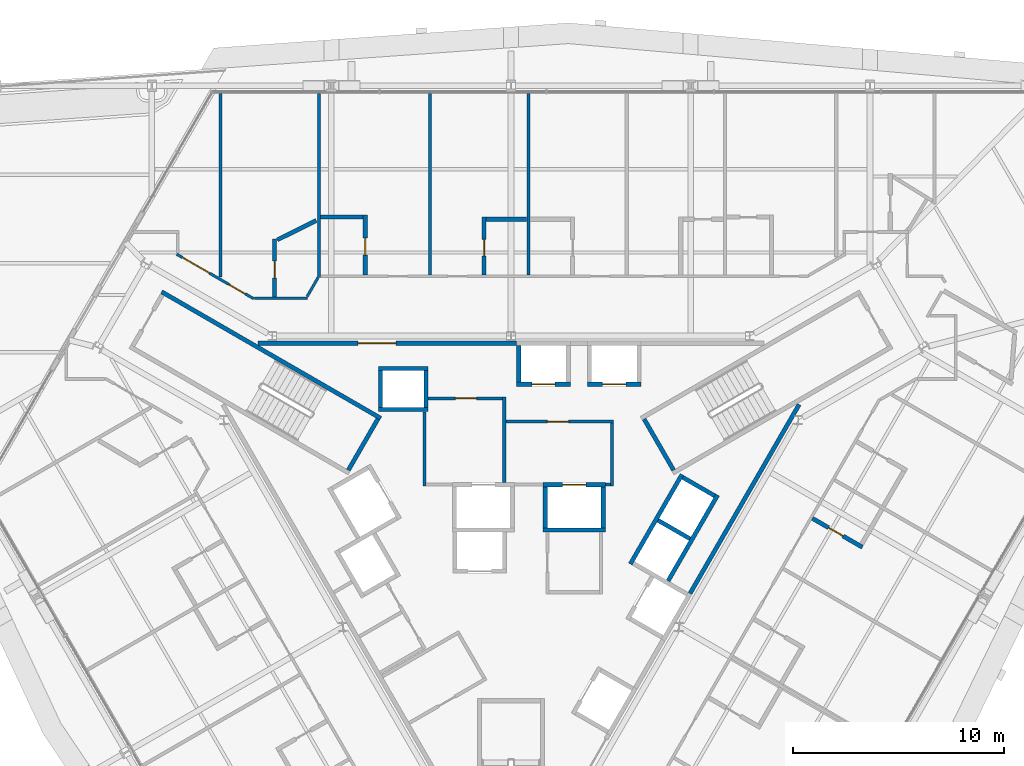
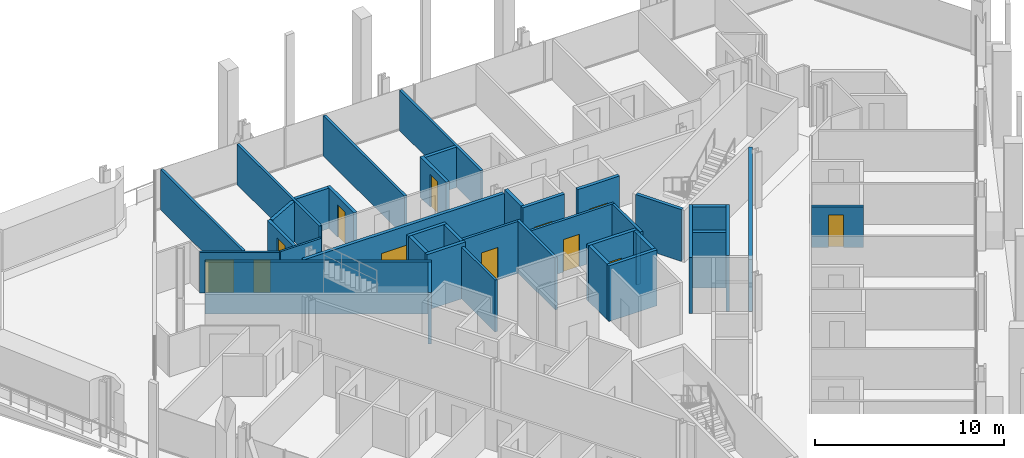
# One storey, part 14 of 19: 40 walls, 12 doors, 12 openings.
"""IFC4 building model written with IfcOpenShell, lengths in metres."""

from ifc_helpers import new_model, si_unit, direction, frame, frame_2d, origin, place, context, subcontext, project, spatial, rectangle, extrude, material, layer, layer_set, type_object, element, fill, save


model = new_model("IFC4")

# Units and contexts
model_context = context("Model", 3, precision=1e-05, world=origin(), true_north=direction((0.0, 1.0)))
body_context = subcontext(model_context, "Body", "Model", "MODEL_VIEW")
ifc_project = project(units=[si_unit("LENGTHUNIT", "METRE"), si_unit("AREAUNIT", "SQUARE_METRE"), si_unit("VOLUMEUNIT", "CUBIC_METRE"), si_unit("PLANEANGLEUNIT", "RADIAN"), si_unit("MASSUNIT", "GRAM", prefix="KILO")], contexts=[model_context])

# Site, building, storey
site_placement = place(None, origin())
site = spatial("IfcSite", under=ifc_project, at=site_placement, CompositionType="ELEMENT")
building_placement = place(site_placement, origin())
building = spatial("IfcBuilding", under=site, at=building_placement, Name="Verrane Prism Tower", CompositionType="ELEMENT")
storey_placement = place(building_placement, frame((0.0, 0.0, 58.39990234375)))
storey = spatial("IfcBuildingStorey", under=building, at=storey_placement, Name="L12", CompositionType="ELEMENT", Elevation=58.39990234375)

# Wall, opening, door
ifc_material_1 = material(Name="Gypsum board partition", Category="other")
ifc_layer_1 = layer(ifc_material_1, 0.199951171875)
ifc_layer_set_1 = layer_set([ifc_layer_1], Name="CW-200 core boundary wall 2 h")
wall_type_1 = type_object("IfcWallType", Name="CW-200 core boundary wall 2 h", PredefinedType="PARTITIONING", material=ifc_layer_set_1)
wall_1_placement = place(storey_placement, frame((0.262939453125, 8.860107421875, 0.0), z_axis=(0.0, 0.0, 1.0), x_axis=(-1.0, 0.0, 0.0)))
wall_1 = element("IfcWall", 1, at=wall_1_placement, inside=storey, type_object=wall_type_1, Name="Core boundary wall CW3-002", PredefinedType="PARTITIONING", context=body_context, shape_type="SweptSolid", body=[
    extrude(rectangle(XDim=12.25390625, YDim=0.199951171875, at=frame_2d((6.126953125, 0.0))), origin(), (0.0, 0.0, 1.0), 3.35009765625),
])
opening_1_placement = place(wall_1_placement, frame((5.708984375, 0.0, 0.0)))
opening_1 = element("IfcOpeningElement", 2, at=opening_1_placement, cuts=wall_1, Name="Opening D12511", PredefinedType="OPENING", context=body_context, shape_type="SweptSolid", body=[
    extrude(rectangle(XDim=1.800048828125, YDim=2.10009765625, at=frame_2d((0.89990234375, 1.050048828125))), frame((0.0, 0.10986328125, 0.0), z_axis=(0.0, -1.0, 0.0), x_axis=(1.0, 0.0, 0.0)), (0.0, 0.0, 1.0), 0.219970703125),
])
ifc_material_2 = material(Name="Timber veneered door leaf", Category="wood")
door_type_1 = type_object("IfcDoorType", Name="DR-1800x2100 FD60 double leaf lift lobby", OperationType="NOTDEFINED", PredefinedType="DOOR", material=ifc_material_2)
door_1_placement = place(opening_1_placement, origin())
door_1 = element("IfcDoor", 3, at=door_1_placement, inside=storey, type_object=door_type_1, Name="Lift lobby door D12511", OperationType="DOUBLE_DOOR_SINGLE_SWING", OverallHeight=2.10009765625, OverallWidth=1.800048828125, PredefinedType="DOOR", context=body_context, shape_type="SweptSolid", body=[
    extrude(rectangle(XDim=1.800048828125, YDim=2.10009765625, at=frame_2d((0.89990234375, 1.050048828125))), frame((0.0, 0.02490234375, 0.0), z_axis=(0.0, -1.0, 0.0), x_axis=(1.0, 0.0, 0.0)), (0.0, 0.0, 1.0), 0.050048828125),
])
fill(opening_1, door_1)

# Walls
wall_2_placement = place(storey_placement, frame((8.491943359375, -3.011962890625, 0.0), z_axis=(0.0, 0.0, 1.0), x_axis=(0.499972957231, 0.866041016371, 0.0)))
element("IfcWall", 4, at=wall_2_placement, inside=storey, type_object=wall_type_1, Name="Core boundary wall CW3-007", PredefinedType="PARTITIONING", context=body_context, shape_type="SweptSolid", body=[
    extrude(rectangle(XDim=10.3486328125, YDim=0.199951171875, at=frame_2d((5.17431640625, 0.0))), origin(), (0.0, 0.0, 1.0), 3.35009765625),
])
ifc_material_3 = material(Name="Concrete C40/50", Category="concrete")
ifc_layer_2 = layer(ifc_material_3, 0.199951171875)
ifc_layer_set_2 = layer_set([ifc_layer_2], Name="CW-200 stair core wall concrete C40/50 3 h")
wall_type_2 = type_object("IfcWallType", Name="CW-200 stair core wall concrete C40/50 3 h", PredefinedType="PARTITIONING", material=ifc_layer_set_2)
wall_3_placement = place(storey_placement, frame((7.71484375, 2.837646484375, 0.0), z_axis=(0.0, 0.0, 1.0), x_axis=(-0.500049511043, 0.865996816683, 0.0)))
element("IfcWall", 5, at=wall_3_placement, inside=storey, type_object=wall_type_2, Name="Stair 1 enclosure wall", PredefinedType="PARTITIONING", context=body_context, shape_type="SweptSolid", body=[
    extrude(rectangle(XDim=2.800048828125, YDim=0.199951171875, at=frame_2d((1.39990234375, 0.0))), origin(), (0.0, 0.0, 1.0), 3.35009765625),
])
wall_4_placement = place(storey_placement, frame((-6.17822265625, 5.299072265625, 0.0), z_axis=(0.0, 0.0, 1.0), x_axis=(-0.866026010844, 0.49999894854, 0.0)))
element("IfcWall", 6, at=wall_4_placement, inside=storey, type_object=wall_type_2, Name="Stair 2 enclosure wall", PredefinedType="PARTITIONING", context=body_context, shape_type="SweptSolid", body=[
    extrude(rectangle(XDim=12.0, YDim=0.199951171875, at=frame_2d((6.0, 0.0))), origin(), (0.0, 0.0, 1.0), 3.35009765625),
])
wall_5_placement = place(storey_placement, frame((-6.314697265625, 5.262451171875, 0.0), z_axis=(0.0, 0.0, 1.0), x_axis=(-0.500049511043, -0.865996816683, 0.0)))
element("IfcWall", 7, at=wall_5_placement, inside=storey, type_object=wall_type_2, Name="Stair 2 enclosure wall", PredefinedType="PARTITIONING", context=body_context, shape_type="SweptSolid", body=[
    extrude(rectangle(XDim=2.800048828125, YDim=0.199951171875, at=frame_2d((1.39990234375, 0.0))), origin(), (0.0, 0.0, 1.0), 3.35009765625),
])
ifc_material_4 = material(Name="Gypsum board shaft wall assembly", Category="other")
ifc_layer_3 = layer(ifc_material_4, 0.199951171875)
ifc_layer_set_3 = layer_set([ifc_layer_3], Name="HW-200 lift shaft wall 2 h")
wall_type_3 = type_object("IfcWallType", Name="HW-200 lift shaft wall 2 h", PredefinedType="PARTITIONING", material=ifc_layer_set_3)
wall_6_placement = place(storey_placement, frame((1.52490234375, 0.0, 0.0), z_axis=(0.0, 0.0, 1.0), x_axis=(1.0, 0.0, 0.0)))
element("IfcWall", 8, at=wall_6_placement, inside=storey, type_object=wall_type_3, Name="Lift shaft wall", PredefinedType="PARTITIONING", context=body_context, shape_type="SweptSolid", body=[
    extrude(rectangle(XDim=2.9501953125, YDim=0.199951171875, at=frame_2d((1.47509765625, 0.0))), origin(), (0.0, 0.0, 1.0), 3.60009765625),
])

# Wall, opening, door
wall_7_placement = place(storey_placement, frame((1.52490234375, 2.14990234375, 0.0), z_axis=(0.0, 0.0, 1.0), x_axis=(1.0, 0.0, 0.0)))
wall_7 = element("IfcWall", 9, at=wall_7_placement, inside=storey, type_object=wall_type_3, Name="Lift shaft wall", PredefinedType="PARTITIONING", context=body_context, shape_type="SweptSolid", body=[
    extrude(rectangle(XDim=2.9501953125, YDim=0.199951171875, at=frame_2d((1.47509765625, 0.0))), origin(), (0.0, 0.0, 1.0), 3.60009765625),
])
opening_2_placement = place(wall_7_placement, frame((0.925048828125, 0.0, 0.0)))
opening_2 = element("IfcOpeningElement", 10, at=opening_2_placement, cuts=wall_7, Name="Opening D12509", PredefinedType="OPENING", context=body_context, shape_type="SweptSolid", body=[
    extrude(rectangle(XDim=1.10009765625, YDim=2.10009765625, at=frame_2d((0.550048828125, 1.050048828125))), frame((0.0, 0.10986328125, 0.0), z_axis=(0.0, -1.0, 0.0), x_axis=(1.0, 0.0, 0.0)), (0.0, 0.0, 1.0), 0.219970703125),
])
ifc_material_5 = material(Name="Stainless steel sliding landing door", Category="steel")
door_type_2 = type_object("IfcDoorType", Name="LD-1100x2100 lift landing door FD90 sliding", OperationType="NOTDEFINED", PredefinedType="DOOR", material=ifc_material_5)
door_2_placement = place(opening_2_placement, origin())
door_2 = element("IfcDoor", 11, at=door_2_placement, inside=storey, type_object=door_type_2, Name="Fire service lift 2 landing door", OperationType="SLIDING_TO_RIGHT", OverallHeight=2.10009765625, OverallWidth=1.10009765625, PredefinedType="DOOR", context=body_context, shape_type="SweptSolid", body=[
    extrude(rectangle(XDim=1.10009765625, YDim=2.10009765625, at=frame_2d((0.550048828125, 1.050048828125))), frame((0.0, 0.02490234375, 0.0), z_axis=(0.0, -1.0, 0.0), x_axis=(1.0, 0.0, 0.0)), (0.0, 0.0, 1.0), 0.050048828125),
])
fill(opening_2, door_2)

# Wall
wall_8_placement = place(storey_placement, frame((-6.284912109375, 5.7099609375, 0.0), z_axis=(0.0, 0.0, 1.0), x_axis=(1.0, 0.0, 0.0)))
element("IfcWall", 12, at=wall_8_placement, inside=storey, type_object=wall_type_3, Name="Lift shaft wall", PredefinedType="PARTITIONING", context=body_context, shape_type="SweptSolid", body=[
    extrude(rectangle(XDim=2.349853515625, YDim=0.199951171875, at=frame_2d((1.1748046875, 0.0))), origin(), (0.0, 0.0, 1.0), 3.60009765625),
])

# Wall, opening, door
wall_9_placement = place(storey_placement, frame((0.264892578125, 6.909912109375, 0.0), z_axis=(0.0, 0.0, 1.0), x_axis=(1.0, 0.0, 0.0)))
wall_9 = element("IfcWall", 13, at=wall_9_placement, inside=storey, type_object=wall_type_3, Name="Lift shaft wall", PredefinedType="PARTITIONING", context=body_context, shape_type="SweptSolid", body=[
    extrude(rectangle(XDim=2.550048828125, YDim=0.199951171875, at=frame_2d((1.27490234375, 0.0))), origin(), (0.0, 0.0, 1.0), 3.60009765625),
])
opening_3_placement = place(wall_9_placement, frame((0.72509765625, 0.0, 0.0)))
opening_3 = element("IfcOpeningElement", 14, at=opening_3_placement, cuts=wall_9, Name="Opening D12503", PredefinedType="OPENING", context=body_context, shape_type="SweptSolid", body=[
    extrude(rectangle(XDim=1.10009765625, YDim=2.10009765625, at=frame_2d((0.550048828125, 1.050048828125))), frame((0.0, 0.10986328125, 0.0), z_axis=(0.0, -1.0, 0.0), x_axis=(1.0, 0.0, 0.0)), (0.0, 0.0, 1.0), 0.219970703125),
])
door_3_placement = place(opening_3_placement, origin())
door_3 = element("IfcDoor", 15, at=door_3_placement, inside=storey, type_object=door_type_2, Name="Bank A lift 1 landing door", OperationType="SLIDING_TO_LEFT", OverallHeight=2.10009765625, OverallWidth=1.10009765625, PredefinedType="DOOR", context=body_context, shape_type="SweptSolid", body=[
    extrude(rectangle(XDim=1.10009765625, YDim=2.10009765625, at=frame_2d((0.550048828125, 1.050048828125))), frame((0.0, 0.02490234375, 0.0), z_axis=(0.0, -1.0, 0.0), x_axis=(1.0, 0.0, 0.0)), (0.0, 0.0, 1.0), 0.050048828125),
])
fill(opening_3, door_3)

wall_10_placement = place(storey_placement, frame((3.625, 6.909912109375, 0.0), z_axis=(0.0, 0.0, 1.0), x_axis=(1.0, 0.0, 0.0)))
wall_10 = element("IfcWall", 16, at=wall_10_placement, inside=storey, type_object=wall_type_3, Name="Lift shaft wall", PredefinedType="PARTITIONING", context=body_context, shape_type="SweptSolid", body=[
    extrude(rectangle(XDim=2.550048828125, YDim=0.199951171875, at=frame_2d((1.27490234375, 0.0))), origin(), (0.0, 0.0, 1.0), 3.60009765625),
])
opening_4_placement = place(wall_10_placement, frame((0.72509765625, 0.0, 0.0)))
opening_4 = element("IfcOpeningElement", 17, at=opening_4_placement, cuts=wall_10, Name="Opening D12505", PredefinedType="OPENING", context=body_context, shape_type="SweptSolid", body=[
    extrude(rectangle(XDim=1.10009765625, YDim=2.10009765625, at=frame_2d((0.550048828125, 1.050048828125))), frame((0.0, 0.10986328125, 0.0), z_axis=(0.0, -1.0, 0.0), x_axis=(1.0, 0.0, 0.0)), (0.0, 0.0, 1.0), 0.219970703125),
])
door_4_placement = place(opening_4_placement, origin())
door_4 = element("IfcDoor", 18, at=door_4_placement, inside=storey, type_object=door_type_2, Name="Bank A lift 3 landing door", OperationType="SLIDING_TO_LEFT", OverallHeight=2.10009765625, OverallWidth=1.10009765625, PredefinedType="DOOR", context=body_context, shape_type="SweptSolid", body=[
    extrude(rectangle(XDim=1.10009765625, YDim=2.10009765625, at=frame_2d((0.550048828125, 1.050048828125))), frame((0.0, 0.02490234375, 0.0), z_axis=(0.0, -1.0, 0.0), x_axis=(1.0, 0.0, 0.0)), (0.0, 0.0, 1.0), 0.050048828125),
])
fill(opening_4, door_4)

# Walls
wall_11_placement = place(storey_placement, frame((-6.284912109375, 7.659912109375, 0.0), z_axis=(0.0, 0.0, 1.0), x_axis=(1.0, 0.0, 0.0)))
element("IfcWall", 19, at=wall_11_placement, inside=storey, type_object=wall_type_3, Name="Lift shaft wall", PredefinedType="PARTITIONING", context=body_context, shape_type="SweptSolid", body=[
    extrude(rectangle(XDim=2.349853515625, YDim=0.199951171875, at=frame_2d((1.1748046875, 0.0))), origin(), (0.0, 0.0, 1.0), 3.60009765625),
])
wall_12_placement = place(storey_placement, frame((7.451171875, -2.4140625, 0.0), z_axis=(0.0, 0.0, 1.0), x_axis=(0.500016218704, 0.866016039709, 0.0)))
element("IfcWall", 20, at=wall_12_placement, inside=storey, type_object=wall_type_3, Name="Lift shaft wall", PredefinedType="PARTITIONING", context=body_context, shape_type="SweptSolid", body=[
    extrude(rectangle(XDim=4.699951171875, YDim=0.199951171875, at=frame_2d((2.35009765625, 0.0))), origin(), (0.0, 0.0, 1.0), 3.60009765625),
])
wall_13_placement = place(storey_placement, frame((5.66259765625, -1.6123046875, 0.0), z_axis=(0.0, 0.0, 1.0), x_axis=(0.49998122708, 0.866036242063, 0.0)))
element("IfcWall", 21, at=wall_13_placement, inside=storey, type_object=wall_type_3, Name="Lift shaft wall", PredefinedType="PARTITIONING", context=body_context, shape_type="SweptSolid", body=[
    extrude(rectangle(XDim=4.900146484375, YDim=0.199951171875, at=frame_2d((2.4501953125, 0.0))), origin(), (0.0, 0.0, 1.0), 3.60009765625),
])
for number, where, z_axis, x_axis, name in (
    (22, (4.375, 0.10009765625, 0.0), (0.0, 0.0, 1.0), (0.0, 1.0, 0.0), "Lift shaft wall"),
    (23, (1.625, 0.10009765625, 0.0), (0.0, 0.0, 1.0), (0.0, 1.0, 0.0), "Lift shaft wall"),
):
    element("IfcWall", number, at=place(storey_placement, frame(where, z_axis=z_axis, x_axis=x_axis)), inside=storey, type_object=wall_type_3, Name=name, PredefinedType="PARTITIONING", context=body_context, shape_type="SweptSolid", body=[
        extrude(rectangle(XDim=1.949951171875, YDim=0.199951171875, at=frame_2d((0.97509765625, 0.0))), origin(), (0.0, 0.0, 1.0), 3.60009765625),
    ])
for number, where, z_axis, x_axis, name in (
    (24, (0.364990234375, 7.010009765625, 0.0), (0.0, 0.0, 1.0), (0.0, 1.0, 0.0), "Lift shaft wall"),
    (25, (-4.034912109375, 5.81005859375, 0.0), (0.0, 0.0, 1.0), (0.0, 1.0, 0.0), "Lift shaft wall"),
    (26, (-6.18505859375, 5.81005859375, 0.0), (0.0, 0.0, 1.0), (0.0, 1.0, 0.0), "Lift shaft wall"),
):
    element("IfcWall", number, at=place(storey_placement, frame(where, z_axis=z_axis, x_axis=x_axis)), inside=storey, type_object=wall_type_3, Name=name, PredefinedType="PARTITIONING", context=body_context, shape_type="SweptSolid", body=[
        extrude(rectangle(XDim=1.75, YDim=0.199951171875, at=frame_2d((0.875, 0.0))), origin(), (0.0, 0.0, 1.0), 3.60009765625),
    ])
wall_14_placement = place(storey_placement, frame((9.66455078125, 1.61962890625, 0.0), z_axis=(0.0, 0.0, 1.0), x_axis=(-0.866002029911, 0.500040482552, 0.0)))
element("IfcWall", 27, at=wall_14_placement, inside=storey, type_object=wall_type_3, Name="Lift shaft wall", PredefinedType="PARTITIONING", context=body_context, shape_type="SweptSolid", body=[
    extrude(rectangle(XDim=1.749755859375, YDim=0.199951171875, at=frame_2d((0.875, 0.0))), origin(), (0.0, 0.0, 1.0), 3.60009765625),
])
wall_15_placement = place(storey_placement, frame((8.48974609375, -0.41552734375, 0.0), z_axis=(0.0, 0.0, 1.0), x_axis=(-0.866036909293, 0.499980071345, 0.0)))
element("IfcWall", 28, at=wall_15_placement, inside=storey, type_object=wall_type_3, Name="Lift shaft wall", PredefinedType="PARTITIONING", context=body_context, shape_type="SweptSolid", body=[
    extrude(rectangle(XDim=1.75, YDim=0.199951171875, at=frame_2d((0.875, 0.0))), origin(), (0.0, 0.0, 1.0), 3.60009765625),
])
ifc_material_6 = material(Name="Gypsum board partition", Category="other")
ifc_layer_4 = layer(ifc_material_6, 0.14990234375)
ifc_layer_set_4 = layer_set([ifc_layer_4], Name="LF-150 firefighting lobby wall 1 h")
wall_type_4 = type_object("IfcWallType", Name="LF-150 firefighting lobby wall 1 h", PredefinedType="PARTITIONING", material=ifc_layer_set_4)
wall_16_placement = place(storey_placement, frame((-4.10009765625, 2.0849609375, 0.0), z_axis=(0.0, 0.0, 1.0), x_axis=(0.0, 1.0, 0.0)))
element("IfcWall", 29, at=wall_16_placement, inside=storey, type_object=wall_type_4, Name="Firefighting lobby wall LF1-001", PredefinedType="PARTITIONING", context=body_context, shape_type="SweptSolid", body=[
    extrude(rectangle(XDim=3.52294921875, YDim=0.14990234375, at=frame_2d((1.761474609375, 0.0))), origin(), (0.0, 0.0, 1.0), 3.35009765625),
])

# Wall, opening, door
wall_17_placement = place(storey_placement, frame((-3.93310546875, 6.239990234375, 0.0), z_axis=(0.0, 0.0, 1.0), x_axis=(1.0, 0.0, 0.0)))
wall_17 = element("IfcWall", 30, at=wall_17_placement, inside=storey, type_object=wall_type_4, Name="Firefighting lobby wall LF1-003", PredefinedType="PARTITIONING", context=body_context, shape_type="SweptSolid", body=[
    extrude(rectangle(XDim=3.5380859375, YDim=0.14990234375, at=frame_2d((1.76904296875, 0.0))), origin(), (0.0, 0.0, 1.0), 3.35009765625),
])
opening_5_placement = place(wall_17_placement, frame((1.300048828125, 0.0, 0.0)))
opening_5 = element("IfcOpeningElement", 31, at=opening_5_placement, cuts=wall_17, Name="Opening D12515", PredefinedType="OPENING", context=body_context, shape_type="SweptSolid", body=[
    extrude(rectangle(XDim=1.0, YDim=2.10009765625, at=frame_2d((0.5, 1.050048828125))), frame((0.0, 0.0849609375, 0.0), z_axis=(0.0, -1.0, 0.0), x_axis=(1.0, 0.0, 0.0)), (0.0, 0.0, 1.0), 0.169921875),
])
ifc_material_7 = material(Name="Timber veneered door leaf", Category="wood")
door_type_3 = type_object("IfcDoorType", Name="DR-1000x2100 FD60 single leaf firefighting lobby", OperationType="NOTDEFINED", PredefinedType="DOOR", material=ifc_material_7)
door_5_placement = place(opening_5_placement, origin())
door_5 = element("IfcDoor", 32, at=door_5_placement, inside=storey, type_object=door_type_3, Name="Firefighting lobby door D12515", OperationType="SINGLE_SWING_LEFT", OverallHeight=2.10009765625, OverallWidth=1.0, PredefinedType="DOOR", context=body_context, shape_type="SweptSolid", body=[
    extrude(rectangle(XDim=1.0, YDim=2.10009765625, at=frame_2d((0.5, 1.050048828125))), frame((0.0, 0.02490234375, 0.0), z_axis=(0.0, -1.0, 0.0), x_axis=(1.0, 0.0, 0.0)), (0.0, 0.0, 1.0), 0.050048828125),
])
fill(opening_5, door_5)

# Wall
wall_18_placement = place(storey_placement, frame((-0.320068359375, 2.251953125, 0.0), z_axis=(0.0, 0.0, 1.0), x_axis=(0.0, 1.0, 0.0)))
element("IfcWall", 33, at=wall_18_placement, inside=storey, type_object=wall_type_4, Name="Firefighting lobby wall LF1-004", PredefinedType="PARTITIONING", context=body_context, shape_type="SweptSolid", body=[
    extrude(rectangle(XDim=4.06298828125, YDim=0.14990234375, at=frame_2d((2.031494140625, 0.0))), origin(), (0.0, 0.0, 1.0), 3.35009765625),
])

# Wall, opening, door
wall_19_placement = place(storey_placement, frame((-0.2451171875, 5.139892578125, 0.0), z_axis=(0.0, 0.0, 1.0), x_axis=(1.0, 0.0, 0.0)))
wall_19 = element("IfcWall", 34, at=wall_19_placement, inside=storey, type_object=wall_type_4, Name="Firefighting lobby wall LF1-005", PredefinedType="PARTITIONING", context=body_context, shape_type="SweptSolid", body=[
    extrude(rectangle(XDim=5.110107421875, YDim=0.14990234375, at=frame_2d((2.55517578125, 0.0))), origin(), (0.0, 0.0, 1.0), 3.35009765625),
])
opening_6_placement = place(wall_19_placement, frame((1.97509765625, 0.0, 0.0)))
opening_6 = element("IfcOpeningElement", 35, at=opening_6_placement, cuts=wall_19, Name="Opening D12516", PredefinedType="OPENING", context=body_context, shape_type="SweptSolid", body=[
    extrude(rectangle(XDim=1.0, YDim=2.10009765625, at=frame_2d((0.5, 1.050048828125))), frame((0.0, 0.0849609375, 0.0), z_axis=(0.0, -1.0, 0.0), x_axis=(1.0, 0.0, 0.0)), (0.0, 0.0, 1.0), 0.169921875),
])
door_6_placement = place(opening_6_placement, origin())
door_6 = element("IfcDoor", 36, at=door_6_placement, inside=storey, type_object=door_type_3, Name="Firefighting lobby door D12516", OperationType="SINGLE_SWING_RIGHT", OverallHeight=2.10009765625, OverallWidth=1.0, PredefinedType="DOOR", context=body_context, shape_type="SweptSolid", body=[
    extrude(rectangle(XDim=1.0, YDim=2.10009765625, at=frame_2d((0.5, 1.050048828125))), frame((0.0, 0.02490234375, 0.0), z_axis=(0.0, -1.0, 0.0), x_axis=(1.0, 0.0, 0.0)), (0.0, 0.0, 1.0), 0.050048828125),
])
fill(opening_6, door_6)

# Walls
wall_20_placement = place(storey_placement, frame((4.47705078125, 2.159912109375, 0.0), z_axis=(0.0, 0.0, 1.0), x_axis=(1.0, 0.0, 0.0)))
element("IfcWall", 37, at=wall_20_placement, inside=storey, type_object=wall_type_4, Name="Firefighting lobby wall LF1-007", PredefinedType="PARTITIONING", context=body_context, shape_type="SweptSolid", body=[
    extrude(rectangle(XDim=0.238037109375, YDim=0.14990234375, at=frame_2d((0.119140625, 0.0))), origin(), (0.0, 0.0, 1.0), 3.35009765625),
])
wall_21_placement = place(storey_placement, frame((4.7900390625, 2.0849609375, 0.0), z_axis=(0.0, 0.0, 1.0), x_axis=(0.0, 1.0, 0.0)))
element("IfcWall", 38, at=wall_21_placement, inside=storey, type_object=wall_type_4, Name="Firefighting lobby wall LF1-008", PredefinedType="PARTITIONING", context=body_context, shape_type="SweptSolid", body=[
    extrude(rectangle(XDim=2.97998046875, YDim=0.14990234375, at=frame_2d((1.489990234375, 0.0))), origin(), (0.0, 0.0, 1.0), 3.35009765625),
])

# Wall, openings, doors
ifc_material_8 = material(Name="Gypsum board partition", Category="other")
ifc_layer_5 = layer(ifc_material_8, 0.125)
ifc_layer_set_5 = layer_set([ifc_layer_5], Name="PW-125 corridor wall 1 h")
wall_type_5 = type_object("IfcWallType", Name="PW-125 corridor wall 1 h", PredefinedType="PARTITIONING", material=ifc_layer_set_5)
wall_22_placement = place(storey_placement, frame((-15.857177734375, 13.081298828125, 0.0), z_axis=(0.0, 0.0, 1.0), x_axis=(0.865975760249, -0.500085975269, 0.0)))
wall_22 = element("IfcWall", 39, at=wall_22_placement, inside=storey, type_object=wall_type_5, Name="Corridor wall 014", PredefinedType="PARTITIONING", context=body_context, shape_type="SweptSolid", body=[
    extrude(rectangle(XDim=4.224365234375, YDim=0.125, at=frame_2d((2.1123046875, 0.0))), origin(), (0.0, 0.0, 1.0), 2.613037109375),
])
opening_7_placement = place(wall_22_placement, frame((2.8525390625, 0.0, 0.0)))
opening_7 = element("IfcOpeningElement", 40, at=opening_7_placement, cuts=wall_22, Name="Opening D12013", PredefinedType="OPENING", context=body_context, shape_type="SweptSolid", body=[
    extrude(rectangle(XDim=0.89990234375, YDim=2.10009765625, at=frame_2d((0.449951171875, 1.050048828125))), frame((0.0, 0.072509765625, 0.0), z_axis=(0.0, -1.0, 0.0), x_axis=(1.0, 0.0, 0.0)), (0.0, 0.0, 1.0), 0.14501953125),
])
opening_8_placement = place(wall_22_placement, frame((0.3125, 0.0, 0.0)))
opening_8 = element("IfcOpeningElement", 41, at=opening_8_placement, cuts=wall_22, Name="Opening D12044", PredefinedType="OPENING", context=body_context, shape_type="SweptSolid", body=[
    extrude(rectangle(XDim=1.5, YDim=2.10009765625, at=frame_2d((0.75, 1.050048828125))), frame((0.0, 0.072509765625, 0.0), z_axis=(0.0, -1.0, 0.0), x_axis=(1.0, 0.0, 0.0)), (0.0, 0.0, 1.0), 0.14501953125),
])
ifc_material_9 = material(Name="Timber veneered door leaf", Category="wood")
door_type_4 = type_object("IfcDoorType", Name="DR-1500x2100 FD20 double leaf public", OperationType="NOTDEFINED", PredefinedType="DOOR", material=ifc_material_9)
door_7_placement = place(opening_8_placement, origin())
door_7 = element("IfcDoor", 42, at=door_7_placement, inside=storey, type_object=door_type_4, Name="Sky Garden Lounge door", OperationType="DOUBLE_DOOR_SINGLE_SWING", OverallHeight=2.10009765625, OverallWidth=1.5, PredefinedType="DOOR", context=body_context, shape_type="SweptSolid", body=[
    extrude(rectangle(XDim=1.5, YDim=2.10009765625, at=frame_2d((0.75, 1.050048828125))), frame((0.0, 0.02490234375, 0.0), z_axis=(0.0, -1.0, 0.0), x_axis=(1.0, 0.0, 0.0)), (0.0, 0.0, 1.0), 0.050048828125),
])
fill(opening_8, door_7)
ifc_material_10 = material(Name="Timber veneered door leaf", Category="wood")
door_type_5 = type_object("IfcDoorType", Name="DR-900x2100 FD20 single leaf unit", OperationType="NOTDEFINED", PredefinedType="DOOR", material=ifc_material_10)
door_8_placement = place(opening_7_placement, origin())
door_8 = element("IfcDoor", 43, at=door_8_placement, inside=storey, type_object=door_type_5, Name="Guest Room door", OperationType="SINGLE_SWING_LEFT", OverallHeight=2.10009765625, OverallWidth=0.89990234375, PredefinedType="DOOR", context=body_context, shape_type="SweptSolid", body=[
    extrude(rectangle(XDim=0.89990234375, YDim=2.10009765625, at=frame_2d((0.449951171875, 1.050048828125))), frame((0.0, 0.02490234375, 0.0), z_axis=(0.0, -1.0, 0.0), x_axis=(1.0, 0.0, 0.0)), (0.0, 0.0, 1.0), 0.050048828125),
])
fill(opening_7, door_8)

# Walls
wall_23_placement = place(storey_placement, frame((-12.16796875, 11.0, 0.0), z_axis=(0.0, 0.0, 1.0), x_axis=(1.0, 0.0, 0.0)))
element("IfcWall", 44, at=wall_23_placement, inside=storey, type_object=wall_type_5, Name="Corridor wall 023", PredefinedType="PARTITIONING", context=body_context, shape_type="SweptSolid", body=[
    extrude(rectangle(XDim=2.5185546875, YDim=0.125, at=frame_2d((1.25927734375, 0.0))), origin(), (0.0, 0.0, 1.0), 2.613037109375),
])
wall_24_placement = place(storey_placement, frame((-9.66943359375, 11.073486328125, 0.0), z_axis=(0.0, 0.0, 1.0), x_axis=(0.499956128963, 0.866050731258, 0.0)))
element("IfcWall", 45, at=wall_24_placement, inside=storey, type_object=wall_type_5, Name="Corridor wall 030", PredefinedType="PARTITIONING", context=body_context, shape_type="SweptSolid", body=[
    extrude(rectangle(XDim=1.02490234375, YDim=0.125, at=frame_2d((0.512451171875, 0.0))), origin(), (0.0, 0.0, 1.0), 2.613037109375),
])
ifc_material_11 = material(Name="Gypsum board partition", Category="other")
ifc_layer_6 = layer(ifc_material_11, 0.14990234375)
ifc_layer_set_6 = layer_set([ifc_layer_6], Name="PW-150 demising wall 1 h")
wall_type_6 = type_object("IfcWallType", Name="PW-150 demising wall 1 h", PredefinedType="PARTITIONING", material=ifc_layer_set_6)
wall_25_placement = place(storey_placement, frame((-13.77587890625, 11.995361328125, 0.0), z_axis=(0.0, 0.0, 1.0), x_axis=(0.0, 1.0, 0.0)))
element("IfcWall", 46, at=wall_25_placement, inside=storey, type_object=wall_type_6, Name="Demising wall 021", PredefinedType="PARTITIONING", context=body_context, shape_type="SweptSolid", body=[
    extrude(rectangle(XDim=8.69970703125, YDim=0.14990234375, at=frame_2d((4.349853515625, 0.0))), origin(), (0.0, 0.0, 1.0), 2.613037109375),
])
wall_26_placement = place(storey_placement, frame((-9.112060546875, 11.9765625, 0.0), z_axis=(0.0, 0.0, 1.0), x_axis=(0.0, 1.0, 0.0)))
element("IfcWall", 47, at=wall_26_placement, inside=storey, type_object=wall_type_6, Name="Demising wall 031", PredefinedType="PARTITIONING", context=body_context, shape_type="SweptSolid", body=[
    extrude(rectangle(XDim=8.718505859375, YDim=0.14990234375, at=frame_2d((4.359375, 0.0))), origin(), (0.0, 0.0, 1.0), 2.613037109375),
])
for number, where, z_axis, x_axis, name in (
    (48, (-3.840087890625, 12.103515625, 0.0), (0.0, 0.0, 1.0), (0.0, 1.0, 0.0), "Demising wall 040"),
    (49, (0.823974609375, 12.103515625, 0.0), (0.0, 0.0, 1.0), (0.0, 1.0, 0.0), "Demising wall 049"),
):
    element("IfcWall", number, at=place(storey_placement, frame(where, z_axis=z_axis, x_axis=x_axis)), inside=storey, type_object=wall_type_6, Name=name, PredefinedType="PARTITIONING", context=body_context, shape_type="SweptSolid", body=[
        extrude(rectangle(XDim=8.591552734375, YDim=0.14990234375, at=frame_2d((4.2958984375, 0.0))), origin(), (0.0, 0.0, 1.0), 2.613037109375),
    ])

# Wall, opening, door
ifc_material_12 = material(Name="Gypsum board partition", Category="other")
ifc_layer_7 = layer(ifc_material_12, 0.199951171875)
ifc_layer_set_7 = layer_set([ifc_layer_7], Name="PW-200 plumbing wall")
wall_type_7 = type_object("IfcWallType", Name="PW-200 plumbing wall", PredefinedType="PARTITIONING", material=ifc_layer_set_7)
wall_27_placement = place(storey_placement, frame((-11.2119140625, 13.800048828125, 0.0), z_axis=(0.0, 0.0, 1.0), x_axis=(0.0, -1.0, 0.0)))
wall_27 = element("IfcWall", 50, at=wall_27_placement, inside=storey, type_object=wall_type_7, Name="Plumbing wall 024", PredefinedType="PARTITIONING", context=body_context, shape_type="SweptSolid", body=[
    extrude(rectangle(XDim=2.737548828125, YDim=0.199951171875, at=frame_2d((1.36865234375, 0.0))), origin(), (0.0, 0.0, 1.0), 2.613037109375),
])
opening_9_placement = place(wall_27_placement, frame((1.050048828125, 0.0, 0.0)))
opening_9 = element("IfcOpeningElement", 51, at=opening_9_placement, cuts=wall_27, Name="Opening D12014", PredefinedType="OPENING", context=body_context, shape_type="SweptSolid", body=[
    extrude(rectangle(XDim=0.800048828125, YDim=2.10009765625, at=frame_2d((0.39990234375, 1.050048828125))), frame((0.0, 0.10986328125, 0.0), z_axis=(0.0, -1.0, 0.0), x_axis=(1.0, 0.0, 0.0)), (0.0, 0.0, 1.0), 0.219970703125),
])
ifc_material_13 = material(Name="Timber veneered door leaf", Category="wood")
door_type_6 = type_object("IfcDoorType", Name="DR-800x2100 single leaf bath", OperationType="NOTDEFINED", PredefinedType="DOOR", material=ifc_material_13)
door_9_placement = place(opening_9_placement, origin())
door_9 = element("IfcDoor", 52, at=door_9_placement, inside=storey, type_object=door_type_6, Name="En-Suite door", OperationType="SINGLE_SWING_LEFT", OverallHeight=2.10009765625, OverallWidth=0.800048828125, PredefinedType="DOOR", context=body_context, shape_type="SweptSolid", body=[
    extrude(rectangle(XDim=0.800048828125, YDim=2.10009765625, at=frame_2d((0.39990234375, 1.050048828125))), frame((0.0, 0.02490234375, 0.0), z_axis=(0.0, -1.0, 0.0), x_axis=(1.0, 0.0, 0.0)), (0.0, 0.0, 1.0), 0.050048828125),
])
fill(opening_9, door_9)

# Walls
wall_28_placement = place(storey_placement, frame((-11.091064453125, 13.760009765625, 0.0), z_axis=(0.0, 0.0, 1.0), x_axis=(0.896138280183, 0.443774923572, 0.0)))
element("IfcWall", 53, at=wall_28_placement, inside=storey, type_object=wall_type_7, Name="Plumbing wall 025", PredefinedType="PARTITIONING", context=body_context, shape_type="SweptSolid", body=[
    extrude(rectangle(XDim=2.0751953125, YDim=0.199951171875, at=frame_2d((1.03759765625, 0.0))), origin(), (0.0, 0.0, 1.0), 2.613037109375),
])
wall_29_placement = place(storey_placement, frame((-9.036865234375, 14.840087890625, 0.0), z_axis=(0.0, 0.0, 1.0), x_axis=(0.999999883705, 0.000482276288, 0.0)))
element("IfcWall", 54, at=wall_29_placement, inside=storey, type_object=wall_type_7, Name="Plumbing wall 032", PredefinedType="PARTITIONING", context=body_context, shape_type="SweptSolid", body=[
    extrude(rectangle(XDim=2.02490234375, YDim=0.199951171875, at=frame_2d((1.012451171875, 0.0))), origin(), (0.0, 0.0, 1.0), 2.613037109375),
])

# Wall, opening, door
wall_30_placement = place(storey_placement, frame((-6.912109375, 12.103515625, 0.0), z_axis=(0.0, 0.0, 1.0), x_axis=(0.0, 1.0, 0.0)))
wall_30 = element("IfcWall", 55, at=wall_30_placement, inside=storey, type_object=wall_type_7, Name="Plumbing wall 035", PredefinedType="PARTITIONING", context=body_context, shape_type="SweptSolid", body=[
    extrude(rectangle(XDim=2.83740234375, YDim=0.199951171875, at=frame_2d((1.418701171875, 0.0))), origin(), (0.0, 0.0, 1.0), 2.613037109375),
])
opening_10_placement = place(wall_30_placement, frame((0.9375, 0.0, 0.0)))
opening_10 = element("IfcOpeningElement", 56, at=opening_10_placement, cuts=wall_30, Name="Opening D12012", PredefinedType="OPENING", context=body_context, shape_type="SweptSolid", body=[
    extrude(rectangle(XDim=0.800048828125, YDim=2.10009765625, at=frame_2d((0.39990234375, 1.050048828125))), frame((0.0, 0.10986328125, 0.0), z_axis=(0.0, -1.0, 0.0), x_axis=(1.0, 0.0, 0.0)), (0.0, 0.0, 1.0), 0.219970703125),
])
door_10_placement = place(opening_10_placement, origin())
door_10 = element("IfcDoor", 57, at=door_10_placement, inside=storey, type_object=door_type_6, Name="En-Suite door", OperationType="SINGLE_SWING_RIGHT", OverallHeight=2.10009765625, OverallWidth=0.800048828125, PredefinedType="DOOR", context=body_context, shape_type="SweptSolid", body=[
    extrude(rectangle(XDim=0.800048828125, YDim=2.10009765625, at=frame_2d((0.39990234375, 1.050048828125))), frame((0.0, 0.02490234375, 0.0), z_axis=(0.0, -1.0, 0.0), x_axis=(1.0, 0.0, 0.0)), (0.0, 0.0, 1.0), 0.050048828125),
])
fill(opening_10, door_10)

wall_31_placement = place(storey_placement, frame((-1.27587890625, 14.841064453125, 0.0), z_axis=(0.0, 0.0, 1.0), x_axis=(0.0, -1.0, 0.0)))
wall_31 = element("IfcWall", 58, at=wall_31_placement, inside=storey, type_object=wall_type_7, Name="Plumbing wall 043", PredefinedType="PARTITIONING", context=body_context, shape_type="SweptSolid", body=[
    extrude(rectangle(XDim=2.737548828125, YDim=0.199951171875, at=frame_2d((1.36865234375, 0.0))), origin(), (0.0, 0.0, 1.0), 2.613037109375),
])
opening_11_placement = place(wall_31_placement, frame((1.050048828125, 0.0, 0.0)))
opening_11 = element("IfcOpeningElement", 59, at=opening_11_placement, cuts=wall_31, Name="Opening D12010", PredefinedType="OPENING", context=body_context, shape_type="SweptSolid", body=[
    extrude(rectangle(XDim=0.800048828125, YDim=2.10009765625, at=frame_2d((0.39990234375, 1.050048828125))), frame((0.0, 0.10986328125, 0.0), z_axis=(0.0, -1.0, 0.0), x_axis=(1.0, 0.0, 0.0)), (0.0, 0.0, 1.0), 0.219970703125),
])
door_11_placement = place(opening_11_placement, origin())
door_11 = element("IfcDoor", 60, at=door_11_placement, inside=storey, type_object=door_type_6, Name="En-Suite door", OperationType="SINGLE_SWING_LEFT", OverallHeight=2.10009765625, OverallWidth=0.800048828125, PredefinedType="DOOR", context=body_context, shape_type="SweptSolid", body=[
    extrude(rectangle(XDim=0.800048828125, YDim=2.10009765625, at=frame_2d((0.39990234375, 1.050048828125))), frame((0.0, 0.02490234375, 0.0), z_axis=(0.0, -1.0, 0.0), x_axis=(1.0, 0.0, 0.0)), (0.0, 0.0, 1.0), 0.050048828125),
])
fill(opening_11, door_11)

# Wall
wall_32_placement = place(storey_placement, frame((-1.176025390625, 14.740966796875, 0.0), z_axis=(0.0, 0.0, 1.0), x_axis=(1.0, 0.0, 0.0)))
element("IfcWall", 61, at=wall_32_placement, inside=storey, type_object=wall_type_7, Name="Plumbing wall 044", PredefinedType="PARTITIONING", context=body_context, shape_type="SweptSolid", body=[
    extrude(rectangle(XDim=1.919921875, YDim=0.199951171875, at=frame_2d((0.9599609375, 0.0))), origin(), (0.0, 0.0, 1.0), 2.613037109375),
])

# Wall, opening, door
wall_33_placement = place(storey_placement, frame((14.295166015625, 0.5537109375, 0.0), z_axis=(0.0, 0.0, 1.0), x_axis=(0.866095017657, -0.499879405846, 0.0)))
wall_33 = element("IfcWall", 62, at=wall_33_placement, inside=storey, type_object=wall_type_7, Name="Plumbing wall 074", PredefinedType="PARTITIONING", context=body_context, shape_type="SweptSolid", body=[
    extrude(rectangle(XDim=2.738037109375, YDim=0.199951171875, at=frame_2d((1.369140625, 0.0))), origin(), (0.0, 0.0, 1.0), 2.613037109375),
])
opening_12_placement = place(wall_33_placement, frame((0.887451171875, 0.0, 0.0)))
opening_12 = element("IfcOpeningElement", 63, at=opening_12_placement, cuts=wall_33, Name="Opening D12039", PredefinedType="OPENING", context=body_context, shape_type="SweptSolid", body=[
    extrude(rectangle(XDim=0.800048828125, YDim=2.10009765625, at=frame_2d((0.39990234375, 1.050048828125))), frame((0.0, 0.10986328125, 0.0), z_axis=(0.0, -1.0, 0.0), x_axis=(1.0, 0.0, 0.0)), (0.0, 0.0, 1.0), 0.219970703125),
])
door_12_placement = place(opening_12_placement, origin())
door_12 = element("IfcDoor", 64, at=door_12_placement, inside=storey, type_object=door_type_6, Name="En-Suite door", OperationType="SINGLE_SWING_LEFT", OverallHeight=2.10009765625, OverallWidth=0.800048828125, PredefinedType="DOOR", context=body_context, shape_type="SweptSolid", body=[
    extrude(rectangle(XDim=0.800048828125, YDim=2.10009765625, at=frame_2d((0.39990234375, 1.050048828125))), frame((0.0, 0.02490234375, 0.0), z_axis=(0.0, -1.0, 0.0), x_axis=(1.0, 0.0, 0.0)), (0.0, 0.0, 1.0), 0.050048828125),
])
fill(opening_12, door_12)

save(model, "model.ifc")
